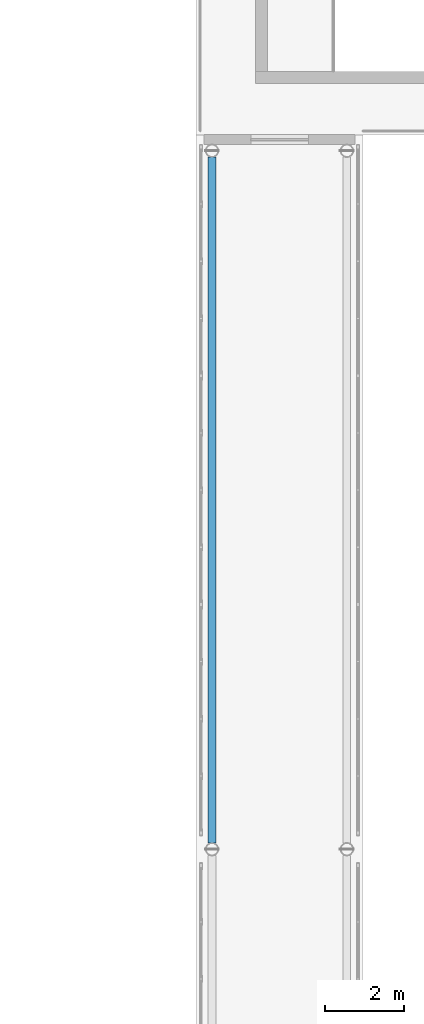
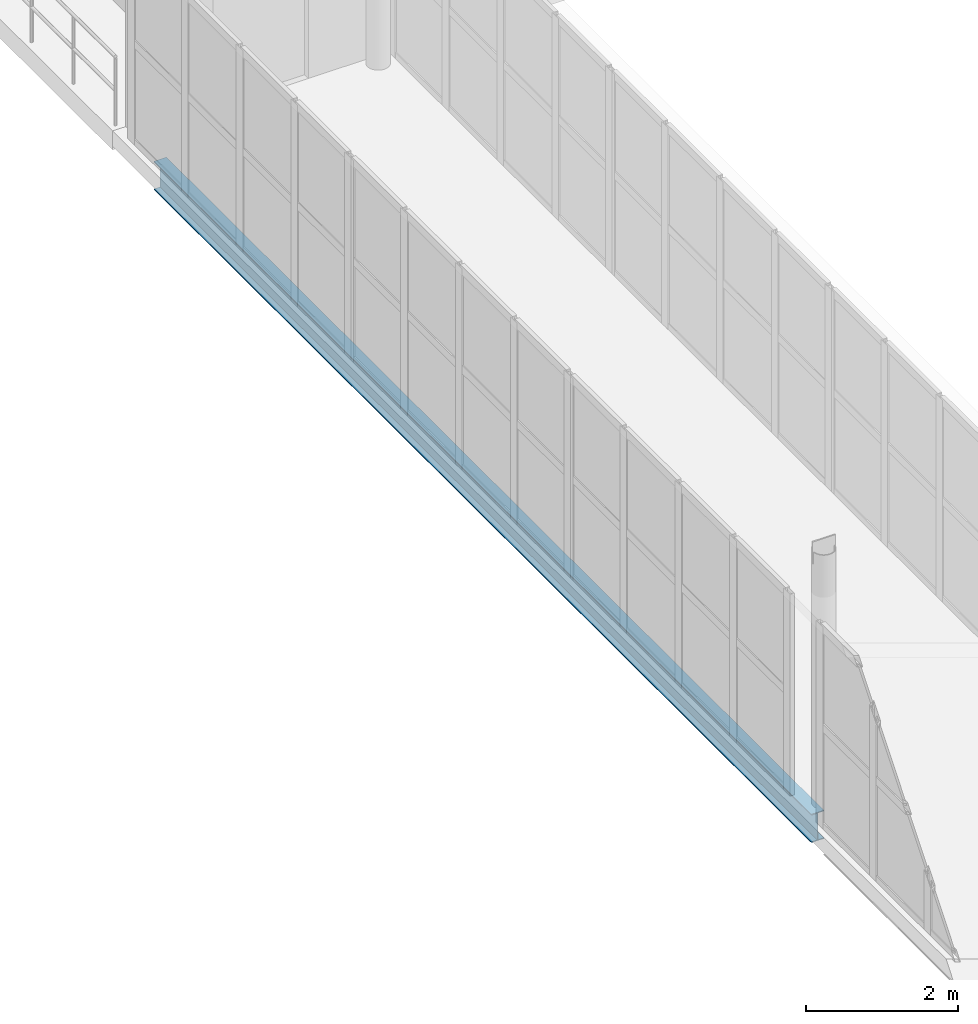
# One storey, part 31 of 52: 1 beam.
"""IFC4 building model written with IfcOpenShell, lengths in metres."""

from ifc_helpers import new_model, si_unit, direction, frame, origin, origin_2d, place, context, subcontext, project, spatial, i_section, extrude, material, material_profile, profile_set, type_object, element, save


model = new_model("IFC4")

# Units and contexts
model_context = context("Model", 3, precision=1e-05, world=origin(), true_north=direction((0.0, 1.0)))
body_context = subcontext(model_context, "Body", "Model", "MODEL_VIEW")
ifc_project = project(units=[si_unit("LENGTHUNIT", "METRE"), si_unit("AREAUNIT", "SQUARE_METRE"), si_unit("VOLUMEUNIT", "CUBIC_METRE"), si_unit("PLANEANGLEUNIT", "RADIAN"), si_unit("MASSUNIT", "GRAM", prefix="KILO")], contexts=[model_context])

# Site, building, storey
site_placement = place(None, origin())
site = spatial("IfcSite", under=ifc_project, at=site_placement, CompositionType="ELEMENT")
building_placement = place(site_placement, origin())
building = spatial("IfcBuilding", under=site, at=building_placement, Name="Valcora Specialist Clinic", CompositionType="ELEMENT")
storey_placement = place(building_placement, frame((0.0, 0.0, 17.679931640625)))
storey = spatial("IfcBuildingStorey", under=building, at=storey_placement, Name="L04", CompositionType="ELEMENT", Elevation=17.679931640625)

# Beam
ifc_material = material(Name="Steel ASTM A992 Grade 50", Category="steel")
ifc_material_profile = material_profile(ifc_material, i_section(OverallWidth=0.18994140625, OverallDepth=0.45703125, WebThickness=0.009033203125, FlangeThickness=0.014892578125, at=origin_2d()), Name="ST-IR-460X190")
ifc_profile_set = profile_set([ifc_material_profile], Name="Steel ASTM A992 Grade 50")
beam_type = type_object("IfcBeamType", Name="TY-BG-IR460", PredefinedType="HOLLOWCORE", material=ifc_profile_set)
beam_placement = place(storey_placement, frame((61.60009765625, 56.159912109375, -0.482421875), z_axis=(0.0, 1.0, 0.0), x_axis=(-1.0, 0.0, 0.0)))
element("IfcBeam", 1, at=beam_placement, inside=storey, type_object=beam_type, Name="Bridge girder BM-L04-1632", PredefinedType="HOLLOWCORE", context=body_context, shape_type="SweptSolid", body=[
    extrude(i_section(OverallWidth=0.18994140625, OverallDepth=0.45703125, WebThickness=0.009033203125, FlangeThickness=0.014892578125, at=origin_2d()), origin(), (0.0, 0.0, 1.0), 17.280029296875),
])

save(model, "model.ifc")
